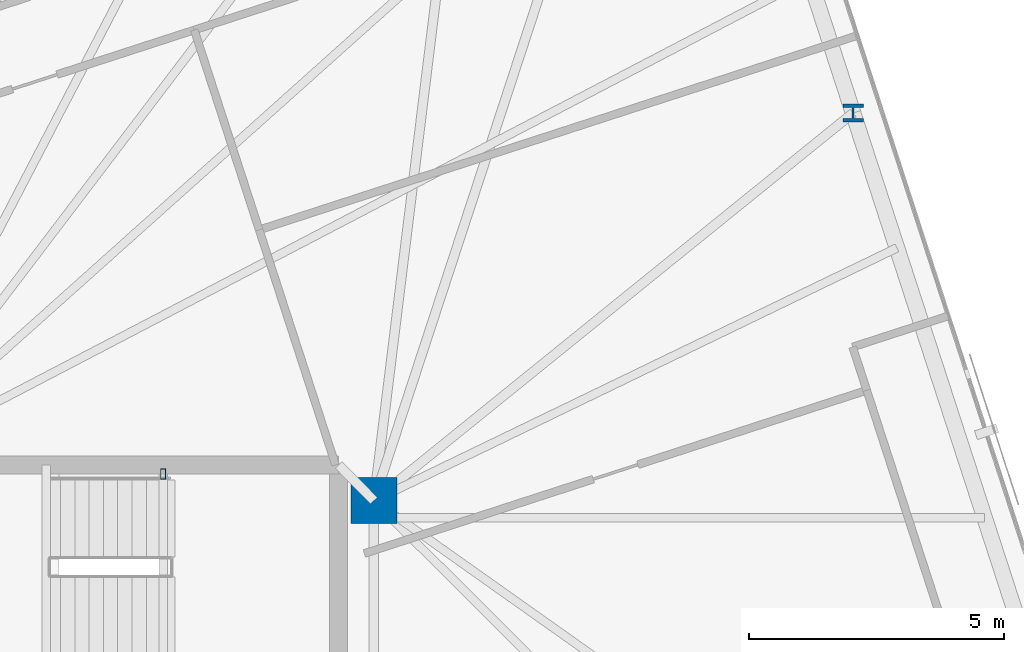
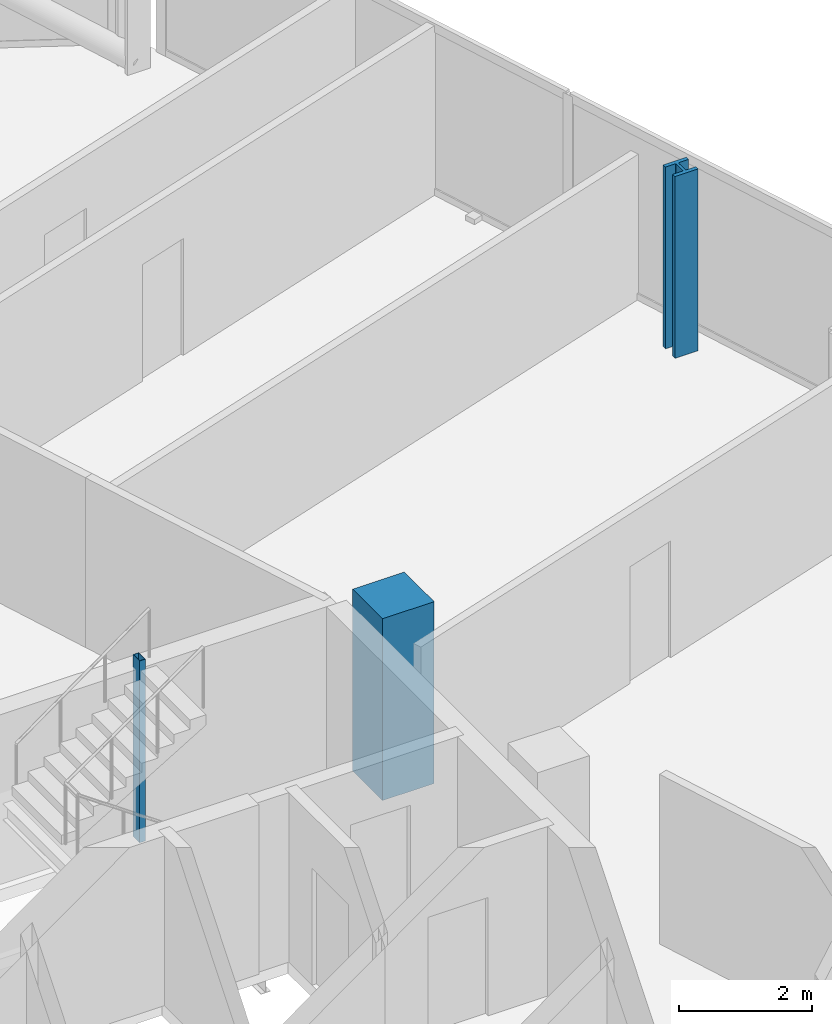
# One storey, part 3 of 20: 3 columns.
"""IFC4 building model written with IfcOpenShell, lengths in metres."""

from ifc_helpers import new_model, si_unit, direction, frame, origin, origin_2d, place, context, subcontext, project, spatial, rectangle, hollow_rectangle, i_section, extrude, material, material_profile, profile_set, type_object, element, save


model = new_model("IFC4")

# Units and contexts
model_context = context("Model", 3, precision=1e-05, world=origin(), true_north=direction((0.0, 1.0)))
body_context = subcontext(model_context, "Body", "Model", "MODEL_VIEW")
ifc_project = project(units=[si_unit("LENGTHUNIT", "METRE"), si_unit("AREAUNIT", "SQUARE_METRE"), si_unit("VOLUMEUNIT", "CUBIC_METRE"), si_unit("PLANEANGLEUNIT", "RADIAN"), si_unit("MASSUNIT", "GRAM", prefix="KILO")], contexts=[model_context])

# Site, building, storey
site_placement = place(None, origin())
site = spatial("IfcSite", under=ifc_project, at=site_placement, CompositionType="ELEMENT")
building_placement = place(site_placement, origin())
building = spatial("IfcBuilding", under=site, at=building_placement, Name="Menara Jurai Vektor", CompositionType="ELEMENT")
storey_placement = place(building_placement, frame((0.0, 0.0, 227.64990234375)))
storey = spatial("IfcBuildingStorey", under=building, at=storey_placement, Name="L60", CompositionType="ELEMENT", Elevation=227.64990234375)

# Columns
ifc_material_1 = material(Name="Concrete C50/60", Category="concrete")
ifc_material_profile_1 = material_profile(ifc_material_1, rectangle(XDim=0.89990234375, YDim=0.89990234375, at=origin_2d()), Name="RC 900x900")
ifc_profile_set_1 = profile_set([ifc_material_profile_1], Name="Concrete C50/60")
column_type_1 = type_object("IfcColumnType", Name="STR-COL-RC900", PredefinedType="COLUMN", material=ifc_profile_set_1)
column_1_placement = place(storey_placement, frame((15.25, 4.89990234375, 0.0), z_axis=(0.0, 0.0, 1.0), x_axis=(1.0, 0.0, 0.0)))
element("IfcColumn", 1, at=column_1_placement, inside=storey, type_object=column_type_1, Name="Core Spine Column CE-NE L60", PredefinedType="COLUMN", context=body_context, shape_type="SweptSolid", body=[
    extrude(rectangle(XDim=0.89990234375, YDim=0.89990234375, at=origin_2d()), origin(), (0.0, 0.0, 1.0), 3.35009765625),
])
ifc_material_2 = material(Name="Steel S355", Category="steel")
ifc_material_profile_2 = material_profile(ifc_material_2, hollow_rectangle(XDim=0.10009765625, YDim=0.199951171875, WallThickness=0.008056640625, at=origin_2d()), Name="RHS 200x100x8")
ifc_profile_set_2 = profile_set([ifc_material_profile_2], Name="Steel S355")
column_type_2 = type_object("IfcColumnType", Name="STR-COL-STAIR", PredefinedType="COLUMN", material=ifc_profile_set_2)
column_2_placement = place(storey_placement, frame((11.1201171875, 5.419921875, 0.0), z_axis=(0.0, 0.0, 1.0), x_axis=(1.0, 0.0, 0.0)))
element("IfcColumn", 2, at=column_2_placement, inside=storey, type_object=column_type_2, Name="Stair Well Header Column ST2-P2 L60", PredefinedType="COLUMN", context=body_context, shape_type="SweptSolid", body=[
    extrude(hollow_rectangle(XDim=0.10009765625, YDim=0.199951171875, WallThickness=0.008056640625, at=origin_2d()), origin(), (0.0, 0.0, 1.0), 3.35009765625),
])
ifc_material_3 = material(Name="Steel S460", Category="steel")
ifc_material_profile_3 = material_profile(ifc_material_3, i_section(OverallWidth=0.405029296875, OverallDepth=0.35498046875, WebThickness=0.0419921875, FlangeThickness=0.068115234375, FilletRadius=0.014892578125, at=origin_2d()), Name="HD 400x551")
ifc_profile_set_3 = profile_set([ifc_material_profile_3], Name="Steel S460")
column_type_3 = type_object("IfcColumnType", Name="STR-EXO-BLK4", PredefinedType="COLUMN", material=ifc_profile_set_3)
column_3_placement = place(storey_placement, frame((24.641845703125, 12.496826171875, 0.0), z_axis=(0.0, 0.0, 1.0), x_axis=(1.0, 0.0, 0.0)))
element("IfcColumn", 3, at=column_3_placement, inside=storey, type_object=column_type_3, Name="Exoskeleton Column BLK4-E3 L60", PredefinedType="COLUMN", context=body_context, shape_type="SweptSolid", body=[
    extrude(i_section(OverallWidth=0.405029296875, OverallDepth=0.35498046875, WebThickness=0.0419921875, FlangeThickness=0.068115234375, FilletRadius=0.014892578125, at=origin_2d()), origin(), (0.0, 0.0, 1.0), 3.35009765625),
])

save(model, "model.ifc")
